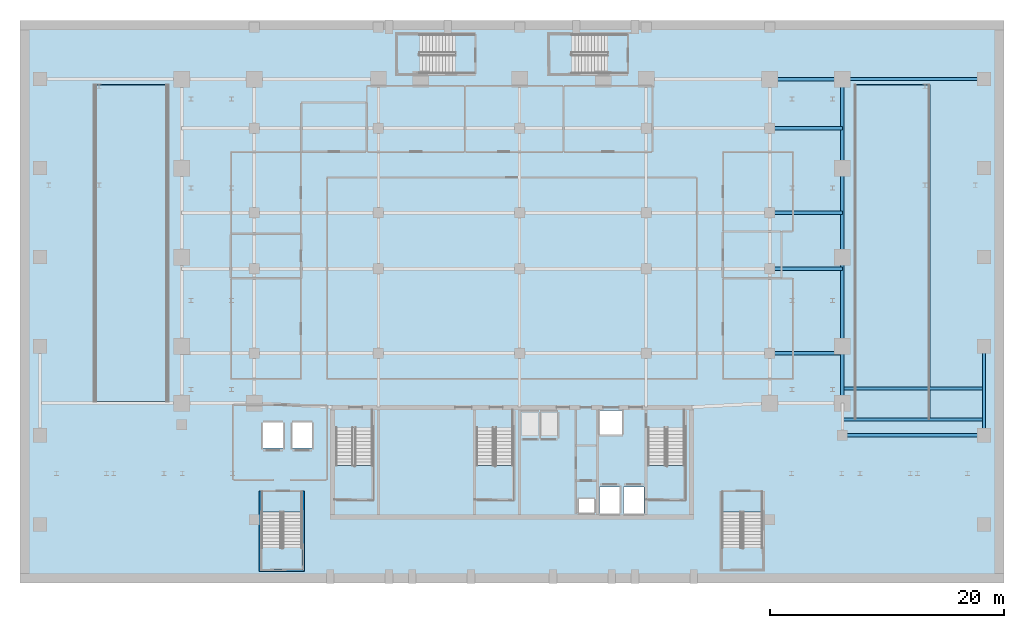
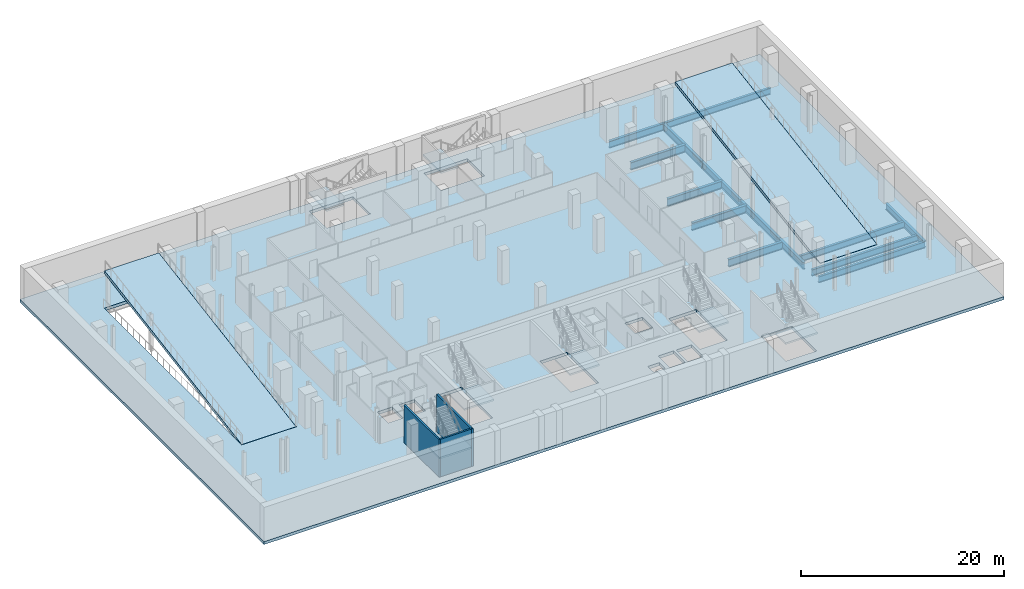
# One storey, part 6 of 18: 14 beams, 10 slabs, 3 walls, 7 elements without a shape of their own.
"""IFC4 building model written with IfcOpenShell, lengths in metres."""

from ifc_helpers import new_model, si_unit, direction, frame, frame_2d, origin, origin_2d, place, context, subcontext, project, spatial, polyline, rectangle, i_section, outline, extrude, material, layer, layer_set, material_profile, profile_set, type_object, element, aggregate, save


model = new_model("IFC4")

# Units and contexts
model_context = context("Model", 3, precision=1e-05, world=origin(), true_north=direction((0.0, 1.0)))
body_context = subcontext(model_context, "Body", "Model", "MODEL_VIEW")
ifc_project = project(units=[si_unit("LENGTHUNIT", "METRE"), si_unit("AREAUNIT", "SQUARE_METRE"), si_unit("VOLUMEUNIT", "CUBIC_METRE"), si_unit("PLANEANGLEUNIT", "RADIAN"), si_unit("MASSUNIT", "GRAM", prefix="KILO")], contexts=[model_context])

# Site, building, storey
site_placement = place(None, origin())
site = spatial("IfcSite", under=ifc_project, at=site_placement, CompositionType="ELEMENT")
building_placement = place(site_placement, origin())
building = spatial("IfcBuilding", under=site, at=building_placement, Name="Ndaravel Arena Tower", CompositionType="ELEMENT")
storey_placement = place(building_placement, frame((0.0, 0.0, -4.5)))
storey = spatial("IfcBuildingStorey", under=building, at=storey_placement, Name="B01", CompositionType="ELEMENT", Elevation=-4.5)

# Beams
ifc_material_1 = material(Name="Steel S355", Category="steel")
ifc_material_profile_1 = material_profile(ifc_material_1, i_section(OverallWidth=0.26806640625, OverallDepth=0.769775390625, WebThickness=0.015625, FlangeThickness=0.025390625, FilletRadius=0.0166015625, at=origin_2d()), Name="UB 762x267x197")
ifc_profile_set_1 = profile_set([ifc_material_profile_1], Name="Steel S355")
beam_type_1 = type_object("IfcBeamType", Name="BM-POD-UB762", PredefinedType="BEAM", material=ifc_profile_set_1)
beam_1_placement = place(storey_placement, frame((70.199951171875, 43.0, -0.73486328125), z_axis=(1.0, 0.0, 0.0), x_axis=(0.0, 1.0, 0.0)))
element("IfcBeam", 1, at=beam_1_placement, inside=storey, type_object=beam_type_1, Name="B01 East Concourse Beam 04", PredefinedType="BEAM", context=body_context, shape_type="SweptSolid", body=[
    extrude(i_section(OverallWidth=0.26806640625, OverallDepth=0.769775390625, WebThickness=0.015625, FlangeThickness=0.025390625, FilletRadius=0.0166015625, at=origin_2d()), origin(), (0.0, 0.0, 1.0), 12.10009765625),
])
beam_2_placement = place(storey_placement, frame((82.300048828125, 12.60009765625, -0.73486328125), z_axis=(0.0, 1.0, 0.0), x_axis=(-1.0, 0.0, 0.0)))
element("IfcBeam", 2, at=beam_2_placement, inside=storey, type_object=beam_type_1, Name="B01 East Dock Outer Edge Girder", PredefinedType="BEAM", context=body_context, shape_type="SweptSolid", body=[
    extrude(i_section(OverallWidth=0.26806640625, OverallDepth=0.769775390625, WebThickness=0.015625, FlangeThickness=0.025390625, FilletRadius=0.0166015625, at=origin_2d()), origin(), (0.0, 0.0, 1.0), 7.599853515625),
])
for number, where, z_axis, x_axis, name in (
    (3, (70.199951171875, 12.60009765625, -0.73486328125), (1.0, 0.0, 0.0), (0.0, 1.0, 0.0), "B01 Truck Ramp South Tie Girder"),
    (4, (70.199951171875, 13.949951171875, -0.73486328125), (1.0, 0.0, 0.0), (0.0, 1.0, 0.0), "B01 Truck Ramp Toe Support Girder 1"),
    (5, (70.199951171875, 16.60009765625, -0.73486328125), (1.0, 0.0, 0.0), (0.0, 1.0, 0.0), "B01 Truck Ramp Toe Support Girder 2"),
):
    element("IfcBeam", number, at=place(storey_placement, frame(where, z_axis=z_axis, x_axis=x_axis)), inside=storey, type_object=beam_type_1, Name=name, PredefinedType="BEAM", context=body_context, shape_type="SweptSolid", body=[
        extrude(i_section(OverallWidth=0.26806640625, OverallDepth=0.769775390625, WebThickness=0.015625, FlangeThickness=0.025390625, FilletRadius=0.0166015625, at=origin_2d()), origin(), (0.0, 0.0, 1.0), 12.10009765625),
    ])
ifc_material_2 = material(Name="Steel S355", Category="steel")
ifc_material_profile_2 = material_profile(ifc_material_2, i_section(OverallWidth=0.293701171875, OverallDepth=0.850830078125, WebThickness=0.01611328125, FlangeThickness=0.02685546875, FilletRadius=0.017822265625, at=origin_2d()), Name="UB 838x292x226")
ifc_profile_set_2 = profile_set([ifc_material_profile_2], Name="Steel S355")
beam_type_2 = type_object("IfcBeamType", Name="BM-POD-UB838", PredefinedType="BEAM", material=ifc_profile_set_2)
beam_3_placement = place(storey_placement, frame((70.199951171875, 15.35009765625, -0.775390625), z_axis=(0.0, 1.0, 0.0), x_axis=(-1.0, 0.0, 0.0)))
element("IfcBeam", 6, at=beam_3_placement, inside=storey, type_object=beam_type_2, Name="B01 Arena Ring Girder 05", PredefinedType="BEAM", context=body_context, shape_type="SweptSolid", body=[
    extrude(i_section(OverallWidth=0.293701171875, OverallDepth=0.850830078125, WebThickness=0.01611328125, FlangeThickness=0.02685546875, FilletRadius=0.017822265625, at=origin_2d()), origin(), (0.0, 0.0, 1.0), 4.849853515625),
])
beam_4_placement = place(storey_placement, frame((70.199951171875, 20.199951171875, -0.775390625), z_axis=(0.0, 1.0, 0.0), x_axis=(-1.0, 0.0, 0.0)))
element("IfcBeam", 7, at=beam_4_placement, inside=storey, type_object=beam_type_2, Name="B01 Arena Ring Girder 06", PredefinedType="BEAM", context=body_context, shape_type="SweptSolid", body=[
    extrude(i_section(OverallWidth=0.293701171875, OverallDepth=0.850830078125, WebThickness=0.01611328125, FlangeThickness=0.02685546875, FilletRadius=0.017822265625, at=origin_2d()), origin(), (0.0, 0.0, 1.0), 7.60009765625),
])
beam_5_placement = place(storey_placement, frame((70.199951171875, 27.800048828125, -0.775390625), z_axis=(0.0, 1.0, 0.0), x_axis=(-1.0, 0.0, 0.0)))
element("IfcBeam", 8, at=beam_5_placement, inside=storey, type_object=beam_type_2, Name="B01 Arena Ring Girder 07", PredefinedType="BEAM", context=body_context, shape_type="SweptSolid", body=[
    extrude(i_section(OverallWidth=0.293701171875, OverallDepth=0.850830078125, WebThickness=0.01611328125, FlangeThickness=0.02685546875, FilletRadius=0.017822265625, at=origin_2d()), origin(), (0.0, 0.0, 1.0), 7.599853515625),
])
beam_6_placement = place(storey_placement, frame((70.199951171875, 35.39990234375, -0.775390625), z_axis=(0.0, 1.0, 0.0), x_axis=(-1.0, 0.0, 0.0)))
element("IfcBeam", 9, at=beam_6_placement, inside=storey, type_object=beam_type_2, Name="B01 Arena Ring Girder 08", PredefinedType="BEAM", context=body_context, shape_type="SweptSolid", body=[
    extrude(i_section(OverallWidth=0.293701171875, OverallDepth=0.850830078125, WebThickness=0.01611328125, FlangeThickness=0.02685546875, FilletRadius=0.017822265625, at=origin_2d()), origin(), (0.0, 0.0, 1.0), 7.60009765625),
])
beam_7_placement = place(storey_placement, frame((64.0, 43.0, -0.775390625), z_axis=(1.0, 0.0, 0.0), x_axis=(0.0, 1.0, 0.0)))
element("IfcBeam", 10, at=beam_7_placement, inside=storey, type_object=beam_type_2, Name="B01 Arena Ring Girder 16", PredefinedType="BEAM", context=body_context, shape_type="SweptSolid", body=[
    extrude(i_section(OverallWidth=0.293701171875, OverallDepth=0.850830078125, WebThickness=0.01611328125, FlangeThickness=0.02685546875, FilletRadius=0.017822265625, at=origin_2d()), origin(), (0.0, 0.0, 1.0), 6.199951171875),
])
ifc_material_3 = material(Name="Steel S355", Category="steel")
ifc_material_profile_3 = material_profile(ifc_material_3, i_section(OverallWidth=0.3076171875, OverallDepth=0.926513671875, WebThickness=0.01953125, FlangeThickness=0.031982421875, FilletRadius=0.01904296875, at=origin_2d()), Name="UB 914x305x289")
ifc_profile_set_3 = profile_set([ifc_material_profile_3], Name="Steel S355")
beam_type_3 = type_object("IfcBeamType", Name="BM-POD-UB914B", PredefinedType="BEAM", material=ifc_profile_set_3)
for number, where, z_axis, x_axis, name in (
    (11, (64.0, 19.60009765625, -0.813232421875), (1.0, 0.0, 0.0), (0.0, 1.0, 0.0), "B01 Sub-Court Girder 1.6"),
    (12, (64.0, 26.800048828125, -0.813232421875), (1.0, 0.0, 0.0), (0.0, 1.0, 0.0), "B01 Sub-Court Girder 2.6"),
    (13, (64.0, 31.60009765625, -0.813232421875), (1.0, 0.0, 0.0), (0.0, 1.0, 0.0), "B01 Sub-Court Girder 3.6"),
    (14, (64.0, 38.800048828125, -0.813232421875), (1.0, 0.0, 0.0), (0.0, 1.0, 0.0), "B01 Sub-Court Girder 4.6"),
):
    element("IfcBeam", number, at=place(storey_placement, frame(where, z_axis=z_axis, x_axis=x_axis)), inside=storey, type_object=beam_type_3, Name=name, PredefinedType="BEAM", context=body_context, shape_type="SweptSolid", body=[
        extrude(i_section(OverallWidth=0.3076171875, OverallDepth=0.926513671875, WebThickness=0.01953125, FlangeThickness=0.031982421875, FilletRadius=0.01904296875, at=origin_2d()), origin(), (0.0, 0.0, 1.0), 6.199951171875),
    ])

# Slab
ifc_material_4 = material(Name="Concrete C40/50", Category="concrete")
ifc_layer_1 = layer(ifc_material_4, 0.35009765625)
ifc_layer_set_1 = layer_set([ifc_layer_1], Name="Concrete C40/50")
slab_type_1 = type_object("IfcSlabType", Name="SLAB-B01-350", PredefinedType="FLOOR", material=ifc_layer_set_1)
slab_1_placement = place(storey_placement, frame((0.0, 0.0, -0.35009765625)))
element("IfcSlab", 15, at=slab_1_placement, inside=storey, type_object=slab_type_1, Name="B01 Structural Floor Slab", PredefinedType="FLOOR", context=body_context, shape_type="SweptSolid", body=[
    extrude(outline(polyline([(0.0, 0.0), (84.0, 0.0), (84.0, 48.0), (0.0, 48.0), (0.0, 0.0)]), holes=[polyline([(26.949951171875, 13.215087890625), (26.949951171875, 7.14990234375), (30.090087890625, 7.14990234375), (30.090087890625, 13.215087890625), (26.949951171875, 13.215087890625)]), polyline([(38.949951171875, 13.215087890625), (38.949951171875, 7.14990234375), (42.090087890625, 7.14990234375), (42.090087890625, 13.215087890625), (38.949951171875, 13.215087890625)]), polyline([(53.60009765625, 13.215087890625), (53.60009765625, 7.14990234375), (56.739990234375, 7.14990234375), (56.739990234375, 13.215087890625), (53.60009765625, 13.215087890625)]), polyline([(20.60009765625, 6.034912109375), (20.60009765625, 1.14990234375), (24.10009765625, 1.14990234375), (24.10009765625, 6.034912109375), (20.60009765625, 6.034912109375)]), polyline([(59.89990234375, 6.034912109375), (59.89990234375, 1.14990234375), (63.39990234375, 1.14990234375), (63.39990234375, 6.034912109375), (59.89990234375, 6.034912109375)]), polyline([(37.14501953125, 46.840087890625), (32.199951171875, 46.840087890625), (32.199951171875, 43.4599609375), (37.14501953125, 43.4599609375), (37.14501953125, 46.840087890625)]), polyline([(50.14501953125, 46.840087890625), (45.199951171875, 46.840087890625), (45.199951171875, 43.4599609375), (50.14501953125, 43.4599609375), (50.14501953125, 46.840087890625)]), polyline([(49.485107421875, 5.909912109375), (51.215087890625, 5.909912109375), (51.215087890625, 8.18994140625), (49.485107421875, 8.18994140625), (49.485107421875, 5.909912109375)]), polyline([(51.534912109375, 5.909912109375), (53.264892578125, 5.909912109375), (53.264892578125, 8.18994140625), (51.534912109375, 8.18994140625), (51.534912109375, 5.909912109375)]), polyline([(49.4599609375, 12.68505859375), (51.43994140625, 12.68505859375), (51.43994140625, 14.715087890625), (49.4599609375, 14.715087890625), (49.4599609375, 12.68505859375)]), polyline([(20.735107421875, 11.510009765625), (22.465087890625, 11.510009765625), (22.465087890625, 13.68994140625), (20.735107421875, 13.68994140625), (20.735107421875, 11.510009765625)]), polyline([(23.235107421875, 11.510009765625), (24.965087890625, 11.510009765625), (24.965087890625, 13.68994140625), (23.235107421875, 13.68994140625), (23.235107421875, 11.510009765625)]), polyline([(47.699951171875, 6.0), (49.0, 6.0), (49.0, 7.139892578125), (47.699951171875, 7.139892578125), (47.699951171875, 6.0)]), polyline([(6.39990234375, 15.47998046875), (12.60009765625, 15.47998046875), (12.60009765625, 42.52001953125), (6.39990234375, 42.52001953125), (6.39990234375, 15.47998046875)]), polyline([(71.199951171875, 13.97998046875), (77.699951171875, 13.97998046875), (77.699951171875, 16.550048828125), (71.199951171875, 16.550048828125), (71.199951171875, 13.97998046875)])]), origin(), (0.0, 0.0, 1.0), 0.35009765625),
])

# Stair, slab
ifc_material_5 = material(Name="Concrete C40/50", Category="concrete")
stair_type = type_object("IfcStairType", Name="STAIR-CORE-HT", PredefinedType="HALF_TURN_STAIR", material=ifc_material_5)
stair_1_placement = place(storey_placement, origin())
stair_1 = element("IfcStair", 16, at=stair_1_placement, inside=storey, type_object=stair_type, Name="B01 ST-1", PredefinedType="HALF_TURN_STAIR")
ifc_material_6 = material(Name="Concrete C40/50", Category="concrete")
ifc_layer_2 = layer(ifc_material_6, 0.199951171875)
ifc_layer_set_2 = layer_set([ifc_layer_2], Name="Concrete C40/50")
slab_type_2 = type_object("IfcSlabType", Name="SLAB-STAIR-LANDING", PredefinedType="LANDING", material=ifc_layer_set_2)
slab_2_placement = place(storey_placement, frame((0.0, 0.0, 2.050048828125)))
slab_2 = element("IfcSlab", 17, at=slab_2_placement, type_object=slab_type_2, Name="ST-1 landing 1", PredefinedType="LANDING", context=body_context, shape_type="SweptSolid", body=[
    extrude(outline(polyline([(26.81005859375, 10.0400390625), (26.81005859375, 7.070068359375), (30.169921875, 7.070068359375), (30.169921875, 10.0400390625), (26.81005859375, 10.0400390625)])), origin(), (0.0, 0.0, 1.0), 0.199951171875),
])
aggregate(stair_1, [slab_2])

stair_2_placement = place(storey_placement, origin())
stair_2 = element("IfcStair", 18, at=stair_2_placement, inside=storey, type_object=stair_type, Name="B01 ST-2", PredefinedType="HALF_TURN_STAIR")
slab_3_placement = place(storey_placement, frame((0.0, 0.0, 2.050048828125)))
slab_3 = element("IfcSlab", 19, at=slab_3_placement, type_object=slab_type_2, Name="ST-2 landing 1", PredefinedType="LANDING", context=body_context, shape_type="SweptSolid", body=[
    extrude(outline(polyline([(38.81005859375, 10.0400390625), (38.81005859375, 7.070068359375), (42.169921875, 7.070068359375), (42.169921875, 10.0400390625), (38.81005859375, 10.0400390625)])), origin(), (0.0, 0.0, 1.0), 0.199951171875),
])
aggregate(stair_2, [slab_3])

stair_3_placement = place(storey_placement, origin())
stair_3 = element("IfcStair", 20, at=stair_3_placement, inside=storey, type_object=stair_type, Name="B01 ST-3", PredefinedType="HALF_TURN_STAIR")
slab_4_placement = place(storey_placement, frame((0.0, 0.0, 2.050048828125)))
slab_4 = element("IfcSlab", 21, at=slab_4_placement, type_object=slab_type_2, Name="ST-3 landing 1", PredefinedType="LANDING", context=body_context, shape_type="SweptSolid", body=[
    extrude(outline(polyline([(53.4599609375, 10.0400390625), (53.4599609375, 7.070068359375), (56.820068359375, 7.070068359375), (56.820068359375, 10.0400390625), (53.4599609375, 10.0400390625)])), origin(), (0.0, 0.0, 1.0), 0.199951171875),
])
aggregate(stair_3, [slab_4])

stair_4_placement = place(storey_placement, origin())
stair_4 = element("IfcStair", 22, at=stair_4_placement, inside=storey, type_object=stair_type, Name="B01 ST-B1", PredefinedType="HALF_TURN_STAIR")
slab_5_placement = place(storey_placement, frame((0.0, 0.0, 2.050048828125)))
slab_5 = element("IfcSlab", 23, at=slab_5_placement, type_object=slab_type_2, Name="ST-B1 landing 1", PredefinedType="LANDING", context=body_context, shape_type="SweptSolid", body=[
    extrude(outline(polyline([(20.52001953125, 3.02490234375), (20.52001953125, 1.070068359375), (24.179931640625, 1.070068359375), (24.179931640625, 3.02490234375), (20.52001953125, 3.02490234375)])), origin(), (0.0, 0.0, 1.0), 0.199951171875),
])
aggregate(stair_4, [slab_5])

stair_5_placement = place(storey_placement, origin())
stair_5 = element("IfcStair", 24, at=stair_5_placement, inside=storey, type_object=stair_type, Name="B01 ST-B2", PredefinedType="HALF_TURN_STAIR")
slab_6_placement = place(storey_placement, frame((0.0, 0.0, 2.050048828125)))
slab_6 = element("IfcSlab", 25, at=slab_6_placement, type_object=slab_type_2, Name="ST-B2 landing 1", PredefinedType="LANDING", context=body_context, shape_type="SweptSolid", body=[
    extrude(outline(polyline([(59.820068359375, 3.02490234375), (59.820068359375, 1.070068359375), (63.47998046875, 1.070068359375), (63.47998046875, 3.02490234375), (59.820068359375, 3.02490234375)])), origin(), (0.0, 0.0, 1.0), 0.199951171875),
])
aggregate(stair_5, [slab_6])

stair_6_placement = place(storey_placement, origin())
stair_6 = element("IfcStair", 26, at=stair_6_placement, inside=storey, type_object=stair_type, Name="B01 ST-B3", PredefinedType="HALF_TURN_STAIR")
slab_7_placement = place(storey_placement, frame((0.0, 0.0, 2.050048828125)))
slab_7 = element("IfcSlab", 27, at=slab_7_placement, type_object=slab_type_2, Name="ST-B3 landing 1", PredefinedType="LANDING", context=body_context, shape_type="SweptSolid", body=[
    extrude(outline(polyline([(34.135009765625, 46.919921875), (32.1201171875, 46.919921875), (32.1201171875, 43.3798828125), (34.135009765625, 43.3798828125), (34.135009765625, 46.919921875)])), origin(), (0.0, 0.0, 1.0), 0.199951171875),
])
aggregate(stair_6, [slab_7])

stair_7_placement = place(storey_placement, origin())
stair_7 = element("IfcStair", 28, at=stair_7_placement, inside=storey, type_object=stair_type, Name="B01 ST-B4", PredefinedType="HALF_TURN_STAIR")
slab_8_placement = place(storey_placement, frame((0.0, 0.0, 2.050048828125)))
slab_8 = element("IfcSlab", 29, at=slab_8_placement, type_object=slab_type_2, Name="ST-B4 landing 1", PredefinedType="LANDING", context=body_context, shape_type="SweptSolid", body=[
    extrude(outline(polyline([(47.135009765625, 46.919921875), (45.1201171875, 46.919921875), (45.1201171875, 43.3798828125), (47.135009765625, 43.3798828125), (47.135009765625, 46.919921875)])), origin(), (0.0, 0.0, 1.0), 0.199951171875),
])
aggregate(stair_7, [slab_8])

# Slabs
ifc_material_7 = material(Name="Concrete C40/50", Category="concrete")
ifc_layer_3 = layer(ifc_material_7, 0.35009765625)
ifc_layer_set_3 = layer_set([ifc_layer_3], Name="Concrete C40/50")
slab_type_3 = type_object("IfcSlabType", Name="SLAB-VRAMP-350", PredefinedType="FLOOR", material=ifc_layer_set_3)
slab_9_placement = place(storey_placement, frame((6.419921875, 15.5, 0.0), z_axis=(0.0, -0.164398987305, 0.986393923832), x_axis=(1.0, 0.0, 0.0)))
element("IfcSlab", 30, at=slab_9_placement, inside=storey, type_object=slab_type_3, Name="Car Park Vehicle Ramp Slab R1 Upper", PredefinedType="FLOOR", context=body_context, shape_type="SweptSolid", body=[
    extrude(outline(polyline([(0.0, 0.0), (6.16015625, 0.0), (6.16015625, 27.37243138634199), (0.0, 27.37243138634199), (0.0, 0.0)])), origin(), (0.0, 0.0, -1.0), 0.35009765625),
])
slab_10_placement = place(storey_placement, frame((71.219970703125, 14.0, 0.0), z_axis=(0.0, -0.155962573473, 0.987762965329), x_axis=(1.0, 0.0, 0.0)))
element("IfcSlab", 31, at=slab_10_placement, inside=storey, type_object=slab_type_3, Name="Loading Dock Truck Ramp Slab R2", PredefinedType="FLOOR", context=body_context, shape_type="SweptSolid", body=[
    extrude(outline(polyline([(0.0, 0.0), (6.4599609375, 0.0), (6.4599609375, 28.85307609250702), (0.0, 28.85307609250702), (0.0, 0.0)])), origin(), (0.0, 0.0, -1.0), 0.35009765625),
])

# Walls
ifc_material_8 = material(Name="Concrete C40/50", Category="concrete")
ifc_layer_4 = layer(ifc_material_8, 0.199951171875)
ifc_layer_set_4 = layer_set([ifc_layer_4], Name="Concrete C40/50")
wall_type = type_object("IfcWallType", Name="WALL-SHAFT-200", PredefinedType="SOLIDWALL", material=ifc_layer_set_4)
for number, where, z_axis, x_axis, name in (
    (32, (20.5, 7.85009765625, 0.0), (0.0, 0.0, 1.0), (0.0, -1.0, 0.0), "B01 ST-B1 Shaft Wall Left"),
    (33, (24.199951171875, 7.85009765625, 0.0), (0.0, 0.0, 1.0), (0.0, -1.0, 0.0), "B01 ST-B1 Shaft Wall Right"),
):
    element("IfcWall", number, at=place(storey_placement, frame(where, z_axis=z_axis, x_axis=x_axis)), inside=storey, type_object=wall_type, Name=name, PredefinedType="SOLIDWALL", context=body_context, shape_type="SweptSolid", body=[
        extrude(rectangle(XDim=6.900146484375, YDim=0.199951171875, at=frame_2d((3.4501953125, 0.0))), origin(), (0.0, 0.0, 1.0), 4.5),
    ])
wall_placement = place(storey_placement, frame((20.510009765625, 1.050048828125, 0.0), z_axis=(0.0, 0.0, 1.0), x_axis=(1.0, 0.0, 0.0)))
element("IfcWall", 34, at=wall_placement, inside=storey, type_object=wall_type, Name="B01 ST-B1 Shaft Wall Far", PredefinedType="SOLIDWALL", context=body_context, shape_type="SweptSolid", body=[
    extrude(rectangle(XDim=3.679931640625, YDim=0.199951171875, at=frame_2d((1.83984375, 0.0))), origin(), (0.0, 0.0, 1.0), 4.5),
])

save(model, "model.ifc")
